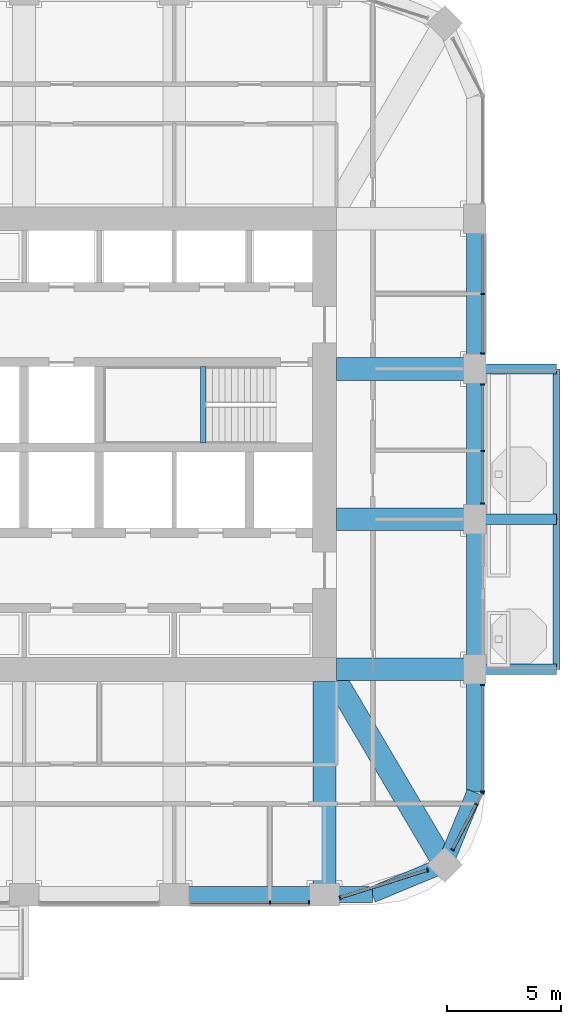
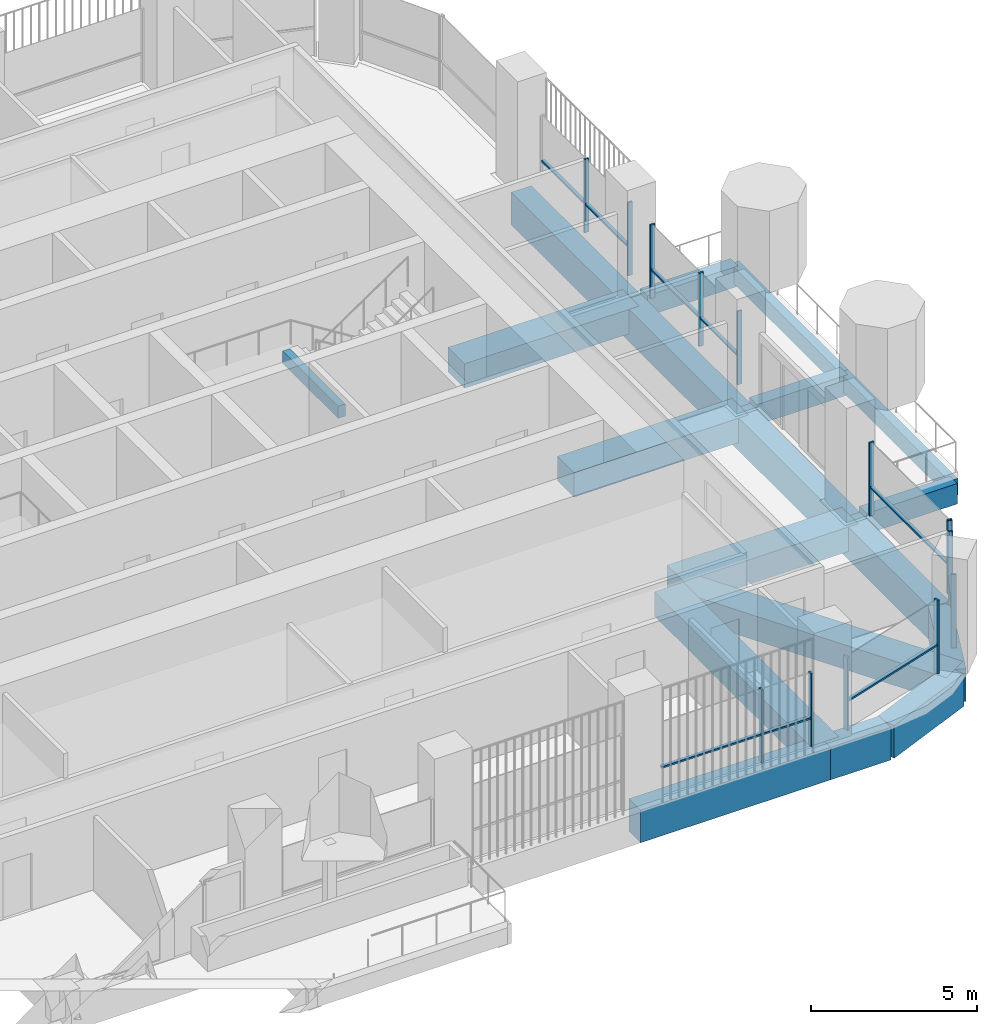
# One storey, part 4 of 19: 23 members, 19 beams, 6 elements without a shape of their own.
"""IFC4 building model written with IfcOpenShell, lengths in metres."""

from ifc_helpers import new_model, si_unit, direction, frame, origin, origin_2d, place, context, subcontext, project, spatial, rectangle, extrude, material, material_profile, profile_set, type_object, element, aggregate, save


model = new_model("IFC4")

# Units and contexts
model_context = context("Model", 3, precision=1e-05, world=origin(), true_north=direction((0.0, 1.0)))
body_context = subcontext(model_context, "Body", "Model", "MODEL_VIEW")
ifc_project = project(units=[si_unit("LENGTHUNIT", "METRE"), si_unit("AREAUNIT", "SQUARE_METRE"), si_unit("VOLUMEUNIT", "CUBIC_METRE"), si_unit("PLANEANGLEUNIT", "RADIAN"), si_unit("MASSUNIT", "GRAM", prefix="KILO")], contexts=[model_context])

# Site, building, storey
site_placement = place(None, origin())
site = spatial("IfcSite", under=ifc_project, at=site_placement, CompositionType="ELEMENT")
building_placement = place(site_placement, origin())
building = spatial("IfcBuilding", under=site, at=building_placement, Name="Cobogo Forest Laboratory Tower", CompositionType="ELEMENT")
storey_placement = place(building_placement, frame((0.0, 0.0, 237.60009765625)))
storey = spatial("IfcBuildingStorey", under=building, at=storey_placement, Name="L54", CompositionType="ELEMENT", Elevation=237.60009765625)

# Beams
ifc_material_1 = material(Name="Concrete HA-40 (C40/50)", Category="concrete")
ifc_material_profile_1 = material_profile(ifc_material_1, rectangle(XDim=0.449951171875, YDim=0.75, at=origin_2d()), Name="RC 450x750")
ifc_profile_set_1 = profile_set([ifc_material_profile_1], Name="Concrete HA-40 (C40/50)")
beam_type_1 = type_object("IfcBeamType", Name="Balcony cantilever beam 450x750", PredefinedType="BEAM", material=ifc_profile_set_1)
for number, where, z_axis, x_axis, name in (
    (1, (46.64990234375, 13.199951171875, -0.625), (1.0, 0.0, 0.0), (0.0, 1.0, 0.0), "CB1 BAL-E1-C1 L54"),
    (2, (46.64990234375, 19.800048828125, -0.625), (1.0, 0.0, 0.0), (0.0, 1.0, 0.0), "CB1 BAL-E1-C2 L54"),
    (3, (46.64990234375, 26.39990234375, -0.625), (1.0, 0.0, 0.0), (0.0, 1.0, 0.0), "CB1 BAL-E1-C3 L54"),
):
    element("IfcBeam", number, at=place(storey_placement, frame(where, z_axis=z_axis, x_axis=x_axis)), inside=storey, type_object=beam_type_1, Name=name, PredefinedType="BEAM", context=body_context, shape_type="SweptSolid", body=[
        extrude(rectangle(XDim=0.449951171875, YDim=0.75, at=origin_2d()), origin(), (0.0, 0.0, 1.0), 3.150146484375),
    ])
ifc_material_profile_2 = material_profile(ifc_material_1, rectangle(XDim=0.300048828125, YDim=0.60009765625, at=origin_2d()), Name="RC 300x600")
ifc_profile_set_2 = profile_set([ifc_material_profile_2], Name="Concrete HA-40 (C40/50)")
beam_type_2 = type_object("IfcBeamType", Name="Balcony edge beam 300x600", PredefinedType="BEAM", material=ifc_profile_set_2)
beam_1_placement = place(storey_placement, frame((49.800048828125, 13.199951171875, -0.550048828125), z_axis=(0.0, 1.0, 0.0), x_axis=(-1.0, 0.0, 0.0)))
element("IfcBeam", 4, at=beam_1_placement, inside=storey, type_object=beam_type_2, Name="BB1 BAL-E1-T1 L54", PredefinedType="BEAM", context=body_context, shape_type="SweptSolid", body=[
    extrude(rectangle(XDim=0.300048828125, YDim=0.60009765625, at=origin_2d()), origin(), (0.0, 0.0, 1.0), 6.60009765625),
])
beam_2_placement = place(storey_placement, frame((49.800048828125, 19.800048828125, -0.550048828125), z_axis=(0.0, 1.0, 0.0), x_axis=(-1.0, 0.0, 0.0)))
element("IfcBeam", 5, at=beam_2_placement, inside=storey, type_object=beam_type_2, Name="BB1 BAL-E1-T2 L54", PredefinedType="BEAM", context=body_context, shape_type="SweptSolid", body=[
    extrude(rectangle(XDim=0.300048828125, YDim=0.60009765625, at=origin_2d()), origin(), (0.0, 0.0, 1.0), 6.599853515625),
])
ifc_material_profile_3 = material_profile(ifc_material_1, rectangle(XDim=0.25, YDim=0.449951171875, at=origin_2d()), Name="RC 250x450")
ifc_profile_set_3 = profile_set([ifc_material_profile_3], Name="Concrete HA-40 (C40/50)")
beam_type_3 = type_object("IfcBeamType", Name="LB1 landing beam 250x450", PredefinedType="BEAM", material=ifc_profile_set_3)
beam_3_placement = place(storey_placement, frame((34.27001953125, 23.14990234375, 1.6748046875), z_axis=(0.0, 1.0, 0.0), x_axis=(-1.0, 0.0, 0.0)))
element("IfcBeam", 6, at=beam_3_placement, inside=storey, type_object=beam_type_3, Name="Landing beam ST2 L54", PredefinedType="BEAM", context=body_context, shape_type="SweptSolid", body=[
    extrude(rectangle(XDim=0.25, YDim=0.449951171875, at=origin_2d()), origin(), (0.0, 0.0, 1.0), 3.35009765625),
])

# Curtain wall, members
ifc_material_2 = material(Name="Aluminium curtain wall", Category="aluminium")
curtain_wall_type = type_object("IfcCurtainWallType", Name="CW-2 unitised curtain wall, solar control glazing, laboratory floors zones C and D", PredefinedType="USERDEFINED", material=ifc_material_2)
curtain_wall_1_placement = place(storey_placement, origin())
curtain_wall_1 = element("IfcCurtainWall", 7, at=curtain_wall_1_placement, inside=storey, type_object=curtain_wall_type, Name="Curtain wall 04 L54", ObjectType="UNITISED CURTAIN WALL", PredefinedType="USERDEFINED")
ifc_material_3 = material(Name="Aluminium mullion", Category="aluminium")
ifc_material_profile_4 = material_profile(ifc_material_3, rectangle(XDim=0.06005859375, YDim=0.159912109375, at=origin_2d()), Name="AL 60x160")
ifc_profile_set_4 = profile_set([ifc_material_profile_4], Name="Aluminium mullion")
member_type_1 = type_object("IfcMemberType", Name="MU-1 aluminium mullion 60x160", PredefinedType="MULLION", material=ifc_profile_set_4)
member_1_placement = place(storey_placement, frame((37.199951171875, 2.949951171875, 0.0), z_axis=(0.0, 0.0, 1.0), x_axis=(1.0, 0.0, 0.0)))
member_1 = element("IfcMember", 8, at=member_1_placement, type_object=member_type_1, Name="CW-2 mullion 2", PredefinedType="MULLION", context=body_context, shape_type="SweptSolid", body=[
    extrude(rectangle(XDim=0.06005859375, YDim=0.159912109375, at=origin_2d()), origin(), (0.0, 0.0, 1.0), 2.699951171875),
])
member_2_placement = place(storey_placement, frame((38.919921875, 2.949951171875, 0.0), z_axis=(0.0, 0.0, 1.0), x_axis=(1.0, 0.0, 0.0)))
member_2 = element("IfcMember", 9, at=member_2_placement, type_object=member_type_1, Name="CW-2 mullion 3", PredefinedType="MULLION", context=body_context, shape_type="SweptSolid", body=[
    extrude(rectangle(XDim=0.06005859375, YDim=0.159912109375, at=origin_2d()), origin(), (0.0, 0.0, 1.0), 2.699951171875),
])

curtain_wall_2_placement = place(storey_placement, origin())
curtain_wall_2 = element("IfcCurtainWall", 10, at=curtain_wall_2_placement, inside=storey, type_object=curtain_wall_type, Name="Curtain wall 05 L54", ObjectType="UNITISED CURTAIN WALL", PredefinedType="USERDEFINED")
member_3_placement = place(storey_placement, frame((40.278564453125, 3.164306640625, 0.0), z_axis=(0.0, 0.0, 1.0), x_axis=(0.953581331491, 0.301135591107, 0.0)))
member_3 = element("IfcMember", 11, at=member_3_placement, type_object=member_type_1, Name="CW-2 mullion 1", PredefinedType="MULLION", context=body_context, shape_type="SweptSolid", body=[
    extrude(rectangle(XDim=0.06005859375, YDim=0.159912109375, at=origin_2d()), origin(), (0.0, 0.0, 1.0), 2.699951171875),
])
member_4_placement = place(storey_placement, frame((44.12255859375, 4.378173828125, 0.0), z_axis=(0.0, 0.0, 1.0), x_axis=(0.953581331491, 0.301135591107, 0.0)))
member_4 = element("IfcMember", 12, at=member_4_placement, type_object=member_type_1, Name="CW-2 mullion 2", PredefinedType="MULLION", context=body_context, shape_type="SweptSolid", body=[
    extrude(rectangle(XDim=0.06005859375, YDim=0.159912109375, at=origin_2d()), origin(), (0.0, 0.0, 1.0), 2.699951171875),
])

curtain_wall_3_placement = place(storey_placement, origin())
curtain_wall_3 = element("IfcCurtainWall", 13, at=curtain_wall_3_placement, inside=storey, type_object=curtain_wall_type, Name="Curtain wall 06 L54", ObjectType="UNITISED CURTAIN WALL", PredefinedType="USERDEFINED")
member_5_placement = place(storey_placement, frame((45.2265625, 5.275634765625, 0.0), z_axis=(0.0, 0.0, 1.0), x_axis=(0.464283804832, 0.885686484356, 0.0)))
member_5 = element("IfcMember", 14, at=member_5_placement, type_object=member_type_1, Name="CW-2 mullion 1", PredefinedType="MULLION", context=body_context, shape_type="SweptSolid", body=[
    extrude(rectangle(XDim=0.06005859375, YDim=0.159912109375, at=origin_2d()), origin(), (0.0, 0.0, 1.0), 2.699951171875),
])
member_6_placement = place(storey_placement, frame((46.268310546875, 7.262939453125, 0.0), z_axis=(0.0, 0.0, 1.0), x_axis=(0.464283804832, 0.885686484356, 0.0)))
member_6 = element("IfcMember", 15, at=member_6_placement, type_object=member_type_1, Name="CW-2 mullion 2", PredefinedType="MULLION", context=body_context, shape_type="SweptSolid", body=[
    extrude(rectangle(XDim=0.06005859375, YDim=0.159912109375, at=origin_2d()), origin(), (0.0, 0.0, 1.0), 2.699951171875),
])
member_7_placement = place(storey_placement, frame((46.5361328125, 7.7734375, 0.0), z_axis=(0.0, 0.0, 1.0), x_axis=(0.464283804832, 0.885686484356, 0.0)))
member_7 = element("IfcMember", 16, at=member_7_placement, type_object=member_type_1, Name="CW-2 mullion 3", PredefinedType="MULLION", context=body_context, shape_type="SweptSolid", body=[
    extrude(rectangle(XDim=0.06005859375, YDim=0.159912109375, at=origin_2d()), origin(), (0.0, 0.0, 1.0), 2.699951171875),
])

curtain_wall_4_placement = place(storey_placement, origin())
curtain_wall_4 = element("IfcCurtainWall", 17, at=curtain_wall_4_placement, inside=storey, type_object=curtain_wall_type, Name="Curtain wall 07 L54", ObjectType="UNITISED CURTAIN WALL", PredefinedType="USERDEFINED")
member_8_placement = place(storey_placement, frame((46.550048828125, 7.830078125, 0.0), z_axis=(0.0, 0.0, 1.0), x_axis=(0.0, 1.0, 0.0)))
member_8 = element("IfcMember", 18, at=member_8_placement, type_object=member_type_1, Name="CW-2 mullion 1", PredefinedType="MULLION", context=body_context, shape_type="SweptSolid", body=[
    extrude(rectangle(XDim=0.06005859375, YDim=0.159912109375, at=origin_2d()), origin(), (0.0, 0.0, 1.0), 2.699951171875),
])
member_9_placement = place(storey_placement, frame((46.550048828125, 12.52001953125, 0.0), z_axis=(0.0, 0.0, 1.0), x_axis=(0.0, 1.0, 0.0)))
member_9 = element("IfcMember", 19, at=member_9_placement, type_object=member_type_1, Name="CW-2 mullion 2", PredefinedType="MULLION", context=body_context, shape_type="SweptSolid", body=[
    extrude(rectangle(XDim=0.06005859375, YDim=0.159912109375, at=origin_2d()), origin(), (0.0, 0.0, 1.0), 2.699951171875),
])

curtain_wall_5_placement = place(storey_placement, origin())
curtain_wall_5 = element("IfcCurtainWall", 20, at=curtain_wall_5_placement, inside=storey, type_object=curtain_wall_type, Name="Curtain wall 09 L54", ObjectType="UNITISED CURTAIN WALL", PredefinedType="USERDEFINED")
member_10_placement = place(storey_placement, frame((46.550048828125, 20.47998046875, 0.0), z_axis=(0.0, 0.0, 1.0), x_axis=(0.0, 1.0, 0.0)))
member_10 = element("IfcMember", 21, at=member_10_placement, type_object=member_type_1, Name="CW-2 mullion 1", PredefinedType="MULLION", context=body_context, shape_type="SweptSolid", body=[
    extrude(rectangle(XDim=0.06005859375, YDim=0.159912109375, at=origin_2d()), origin(), (0.0, 0.0, 1.0), 2.699951171875),
])
member_11_placement = place(storey_placement, frame((46.550048828125, 22.800048828125, 0.0), z_axis=(0.0, 0.0, 1.0), x_axis=(0.0, 1.0, 0.0)))
member_11 = element("IfcMember", 22, at=member_11_placement, type_object=member_type_1, Name="CW-2 mullion 2", PredefinedType="MULLION", context=body_context, shape_type="SweptSolid", body=[
    extrude(rectangle(XDim=0.06005859375, YDim=0.159912109375, at=origin_2d()), origin(), (0.0, 0.0, 1.0), 2.699951171875),
])
member_12_placement = place(storey_placement, frame((46.550048828125, 25.719970703125, 0.0), z_axis=(0.0, 0.0, 1.0), x_axis=(0.0, 1.0, 0.0)))
member_12 = element("IfcMember", 23, at=member_12_placement, type_object=member_type_1, Name="CW-2 mullion 3", PredefinedType="MULLION", context=body_context, shape_type="SweptSolid", body=[
    extrude(rectangle(XDim=0.06005859375, YDim=0.159912109375, at=origin_2d()), origin(), (0.0, 0.0, 1.0), 2.699951171875),
])

curtain_wall_6_placement = place(storey_placement, origin())
curtain_wall_6 = element("IfcCurtainWall", 24, at=curtain_wall_6_placement, inside=storey, type_object=curtain_wall_type, Name="Curtain wall 10 L54", ObjectType="UNITISED CURTAIN WALL", PredefinedType="USERDEFINED")
member_13_placement = place(storey_placement, frame((46.550048828125, 27.080078125, 0.0), z_axis=(0.0, 0.0, 1.0), x_axis=(0.0, 1.0, 0.0)))
member_13 = element("IfcMember", 25, at=member_13_placement, type_object=member_type_1, Name="CW-2 mullion 1", PredefinedType="MULLION", context=body_context, shape_type="SweptSolid", body=[
    extrude(rectangle(XDim=0.06005859375, YDim=0.159912109375, at=origin_2d()), origin(), (0.0, 0.0, 1.0), 2.699951171875),
])
member_14_placement = place(storey_placement, frame((46.550048828125, 29.699951171875, 0.0), z_axis=(0.0, 0.0, 1.0), x_axis=(0.0, 1.0, 0.0)))
member_14 = element("IfcMember", 26, at=member_14_placement, type_object=member_type_1, Name="CW-2 mullion 2", PredefinedType="MULLION", context=body_context, shape_type="SweptSolid", body=[
    extrude(rectangle(XDim=0.06005859375, YDim=0.159912109375, at=origin_2d()), origin(), (0.0, 0.0, 1.0), 2.699951171875),
])

# Beams
ifc_material_profile_5 = material_profile(ifc_material_1, rectangle(XDim=1.0, YDim=0.89990234375, at=origin_2d()), Name="RC 1000x900")
ifc_profile_set_5 = profile_set([ifc_material_profile_5], Name="Concrete HA-40 (C40/50)")
beam_type_4 = type_object("IfcBeamType", Name="Office floor wide beam 1000x900", PredefinedType="BEAM", material=ifc_profile_set_5)
beam_4_placement = place(storey_placement, frame((39.60009765625, 12.675048828125, -0.75), z_axis=(0.0, -1.0, 0.0), x_axis=(1.0, 0.0, 0.0)))
element("IfcBeam", 27, at=beam_4_placement, inside=storey, type_object=beam_type_4, Name="RB2 R-7-S L54", PredefinedType="BEAM", context=body_context, shape_type="SweptSolid", body=[
    extrude(rectangle(XDim=1.0, YDim=0.89990234375, at=origin_2d()), origin(), (0.0, 0.0, 1.0), 9.375),
])
for number, where, z_axis, x_axis, name in (
    (28, (40.125, 13.199951171875, -0.75), (1.0, 0.0, 0.0), (0.0, 1.0, 0.0), "RB2 R-C-E L54"),
    (29, (40.125, 19.800048828125, -0.75), (1.0, 0.0, 0.0), (0.0, 1.0, 0.0), "RB2 R-D-E L54"),
    (30, (40.125, 26.39990234375, -0.75), (1.0, 0.0, 0.0), (0.0, 1.0, 0.0), "RB2 R-E-E L54"),
):
    element("IfcBeam", number, at=place(storey_placement, frame(where, z_axis=z_axis, x_axis=x_axis)), inside=storey, type_object=beam_type_4, Name=name, PredefinedType="BEAM", context=body_context, shape_type="SweptSolid", body=[
        extrude(rectangle(XDim=1.0, YDim=0.89990234375, at=origin_2d()), origin(), (0.0, 0.0, 1.0), 6.074951171875),
    ])
beam_5_placement = place(storey_placement, frame((44.882080078125, 4.617919921875, -0.75), z_axis=(-0.508416325908, 0.861111397875, 0.0), x_axis=(-0.861111397875, -0.508416325908, 0.0)))
element("IfcBeam", 31, at=beam_5_placement, inside=storey, type_object=beam_type_4, Name="RB2 G-SE-D1 L54", PredefinedType="BEAM", context=body_context, shape_type="SweptSolid", body=[
    extrude(rectangle(XDim=1.0, YDim=0.89990234375, at=origin_2d()), origin(), (0.0, 0.0, 1.0), 9.356689453125),
])
ifc_material_profile_6 = material_profile(ifc_material_1, rectangle(XDim=0.699951171875, YDim=1.199951171875, at=origin_2d()), Name="RC 700x1200")
ifc_profile_set_6 = profile_set([ifc_material_profile_6], Name="Concrete HA-40 (C40/50)")
beam_type_5 = type_object("IfcBeamType", Name="Perimeter edge beam 700x1200", PredefinedType="BEAM", material=ifc_profile_set_6)
for number, where, z_axis, x_axis, name in (
    (32, (33.0, 3.300048828125, -0.900146484375), (1.0, 0.0, 0.0), (0.0, 1.0, 0.0), "EB1 E-S4 L54"),
    (33, (46.199951171875, 13.199951171875, -0.900146484375), (0.0, 1.0, 0.0), (-1.0, 0.0, 0.0), "EB1 E-E1 L54"),
):
    element("IfcBeam", number, at=place(storey_placement, frame(where, z_axis=z_axis, x_axis=x_axis)), inside=storey, type_object=beam_type_5, Name=name, PredefinedType="BEAM", context=body_context, shape_type="SweptSolid", body=[
        extrude(rectangle(XDim=0.699951171875, YDim=1.199951171875, at=origin_2d()), origin(), (0.0, 0.0, 1.0), 6.60009765625),
    ])
beam_6_placement = place(storey_placement, frame((46.199951171875, 19.800048828125, -0.900146484375), z_axis=(0.0, 1.0, 0.0), x_axis=(-1.0, 0.0, 0.0)))
element("IfcBeam", 34, at=beam_6_placement, inside=storey, type_object=beam_type_5, Name="EB1 E-E2 L54", PredefinedType="BEAM", context=body_context, shape_type="SweptSolid", body=[
    extrude(rectangle(XDim=0.699951171875, YDim=1.199951171875, at=origin_2d()), origin(), (0.0, 0.0, 1.0), 6.599853515625),
])
beam_7_placement = place(storey_placement, frame((46.199951171875, 26.39990234375, -0.900146484375), z_axis=(0.0, 1.0, 0.0), x_axis=(-1.0, 0.0, 0.0)))
element("IfcBeam", 35, at=beam_7_placement, inside=storey, type_object=beam_type_5, Name="EB1 E-E3 L54", PredefinedType="BEAM", context=body_context, shape_type="SweptSolid", body=[
    extrude(rectangle(XDim=0.699951171875, YDim=1.199951171875, at=origin_2d()), origin(), (0.0, 0.0, 1.0), 6.60009765625),
])
beam_8_placement = place(storey_placement, frame((39.60009765625, 3.300048828125, -0.900146484375), z_axis=(1.0, 0.0, 0.0), x_axis=(0.0, 1.0, 0.0)))
element("IfcBeam", 36, at=beam_8_placement, inside=storey, type_object=beam_type_5, Name="EB1 E-SES1 L54", PredefinedType="BEAM", context=body_context, shape_type="SweptSolid", body=[
    extrude(rectangle(XDim=0.699951171875, YDim=1.199951171875, at=origin_2d()), origin(), (0.0, 0.0, 1.0), 2.099853515625),
])
beam_9_placement = place(storey_placement, frame((41.699951171875, 3.300048828125, -0.900146484375), z_axis=(0.923901072997, 0.382631424892, 0.0), x_axis=(-0.382631424892, 0.923901072997, 0.0)))
element("IfcBeam", 37, at=beam_9_placement, inside=storey, type_object=beam_type_5, Name="EB1 E-SES2 L54", PredefinedType="BEAM", context=body_context, shape_type="SweptSolid", body=[
    extrude(rectangle(XDim=0.699951171875, YDim=1.199951171875, at=origin_2d()), origin(), (0.0, 0.0, 1.0), 3.4443359375),
])
beam_10_placement = place(storey_placement, frame((46.199951171875, 13.199951171875, -0.900146484375), z_axis=(0.0, -1.0, 0.0), x_axis=(1.0, 0.0, 0.0)))
element("IfcBeam", 38, at=beam_10_placement, inside=storey, type_object=beam_type_5, Name="EB1 E-SEE1 L54", PredefinedType="BEAM", context=body_context, shape_type="SweptSolid", body=[
    extrude(rectangle(XDim=0.699951171875, YDim=1.199951171875, at=origin_2d()), origin(), (0.0, 0.0, 1.0), 5.39990234375),
])
beam_11_placement = place(storey_placement, frame((46.199951171875, 7.800048828125, -0.900146484375), z_axis=(-0.382631424892, -0.923901072997, 0.0), x_axis=(0.923901072997, -0.382631424892, 0.0)))
element("IfcBeam", 39, at=beam_11_placement, inside=storey, type_object=beam_type_5, Name="EB1 E-SEE2 L54", PredefinedType="BEAM", context=body_context, shape_type="SweptSolid", body=[
    extrude(rectangle(XDim=0.699951171875, YDim=1.199951171875, at=origin_2d()), origin(), (0.0, 0.0, 1.0), 3.4443359375),
])

# Member
ifc_material_4 = material(Name="Aluminium transom", Category="aluminium")
ifc_material_profile_7 = material_profile(ifc_material_4, rectangle(XDim=0.1201171875, YDim=0.06005859375, at=origin_2d()), Name="AL 60x120")
ifc_profile_set_7 = profile_set([ifc_material_profile_7], Name="Aluminium transom")
member_type_2 = type_object("IfcMemberType", Name="TR-1 aluminium transom 60x120", PredefinedType="USERDEFINED", material=ifc_profile_set_7)
member_15_placement = place(storey_placement, frame((33.7099609375, 2.949951171875, 1.0498046875), z_axis=(1.0, 0.0, 0.0), x_axis=(0.0, 1.0, 0.0)))
member_15 = element("IfcMember", 40, at=member_15_placement, type_object=member_type_2, Name="CW-2 transom 1.1", ObjectType="TRANSOM", PredefinedType="USERDEFINED", context=body_context, shape_type="SweptSolid", body=[
    extrude(rectangle(XDim=0.1201171875, YDim=0.06005859375, at=origin_2d()), origin(), (0.0, 0.0, 1.0), 3.4599609375),
])

member_16_placement = place(storey_placement, frame((37.22998046875, 2.949951171875, 1.0498046875), z_axis=(1.0, 0.0, 0.0), x_axis=(0.0, 1.0, 0.0)))
member_16 = element("IfcMember", 41, at=member_16_placement, type_object=member_type_2, Name="CW-2 transom 2.1", ObjectType="TRANSOM", PredefinedType="USERDEFINED", context=body_context, shape_type="SweptSolid", body=[
    extrude(rectangle(XDim=0.1201171875, YDim=0.06005859375, at=origin_2d()), origin(), (0.0, 0.0, 1.0), 1.659912109375),
])

aggregate(curtain_wall_1, [member_1, member_2, member_15, member_16])

member_17_placement = place(storey_placement, frame((40.30712890625, 3.17333984375, 1.0498046875), z_axis=(0.95358638162, 0.301119598812, 0.0), x_axis=(-0.301119598812, 0.95358638162, 0.0)))
member_17 = element("IfcMember", 42, at=member_17_placement, type_object=member_type_2, Name="CW-2 transom 1.1", ObjectType="TRANSOM", PredefinedType="USERDEFINED", context=body_context, shape_type="SweptSolid", body=[
    extrude(rectangle(XDim=0.1201171875, YDim=0.06005859375, at=origin_2d()), origin(), (0.0, 0.0, 1.0), 3.97119140625),
])

aggregate(curtain_wall_2, [member_3, member_4, member_17])

member_18_placement = place(storey_placement, frame((45.240478515625, 5.302001953125, 1.0498046875), z_axis=(0.464257605101, 0.885700217967, 0.0), x_axis=(-0.885700217967, 0.464257605101, 0.0)))
member_18 = element("IfcMember", 43, at=member_18_placement, type_object=member_type_2, Name="CW-2 transom 1.1", ObjectType="TRANSOM", PredefinedType="USERDEFINED", context=body_context, shape_type="SweptSolid", body=[
    extrude(rectangle(XDim=0.1201171875, YDim=0.06005859375, at=origin_2d()), origin(), (0.0, 0.0, 1.0), 2.183837890625),
])

aggregate(curtain_wall_3, [member_5, member_6, member_7, member_18])

member_19_placement = place(storey_placement, frame((46.550048828125, 7.860107421875, 1.0498046875), z_axis=(0.0, 1.0, 0.0), x_axis=(-1.0, 0.0, 0.0)))
member_19 = element("IfcMember", 44, at=member_19_placement, type_object=member_type_2, Name="CW-2 transom 1.1", ObjectType="TRANSOM", PredefinedType="USERDEFINED", context=body_context, shape_type="SweptSolid", body=[
    extrude(rectangle(XDim=0.1201171875, YDim=0.06005859375, at=origin_2d()), origin(), (0.0, 0.0, 1.0), 4.6298828125),
])

aggregate(curtain_wall_4, [member_8, member_9, member_19])

member_20_placement = place(storey_placement, frame((46.550048828125, 20.510009765625, 1.0498046875), z_axis=(0.0, 1.0, 0.0), x_axis=(-1.0, 0.0, 0.0)))
member_20 = element("IfcMember", 45, at=member_20_placement, type_object=member_type_2, Name="CW-2 transom 1.1", ObjectType="TRANSOM", PredefinedType="USERDEFINED", context=body_context, shape_type="SweptSolid", body=[
    extrude(rectangle(XDim=0.1201171875, YDim=0.06005859375, at=origin_2d()), origin(), (0.0, 0.0, 1.0), 2.260009765625),
])

member_21_placement = place(storey_placement, frame((46.550048828125, 22.830078125, 1.0498046875), z_axis=(0.0, 1.0, 0.0), x_axis=(-1.0, 0.0, 0.0)))
member_21 = element("IfcMember", 46, at=member_21_placement, type_object=member_type_2, Name="CW-2 transom 2.1", ObjectType="TRANSOM", PredefinedType="USERDEFINED", context=body_context, shape_type="SweptSolid", body=[
    extrude(rectangle(XDim=0.1201171875, YDim=0.06005859375, at=origin_2d()), origin(), (0.0, 0.0, 1.0), 2.85986328125),
])

aggregate(curtain_wall_5, [member_10, member_11, member_12, member_20, member_21])

member_22_placement = place(storey_placement, frame((46.550048828125, 27.110107421875, 1.0498046875), z_axis=(0.0, 1.0, 0.0), x_axis=(-1.0, 0.0, 0.0)))
member_22 = element("IfcMember", 47, at=member_22_placement, type_object=member_type_2, Name="CW-2 transom 1.1", ObjectType="TRANSOM", PredefinedType="USERDEFINED", context=body_context, shape_type="SweptSolid", body=[
    extrude(rectangle(XDim=0.1201171875, YDim=0.06005859375, at=origin_2d()), origin(), (0.0, 0.0, 1.0), 2.559814453125),
])

member_23_placement = place(storey_placement, frame((46.550048828125, 29.72998046875, 1.0498046875), z_axis=(0.0, 1.0, 0.0), x_axis=(-1.0, 0.0, 0.0)))
member_23 = element("IfcMember", 48, at=member_23_placement, type_object=member_type_2, Name="CW-2 transom 2.1", ObjectType="TRANSOM", PredefinedType="USERDEFINED", context=body_context, shape_type="SweptSolid", body=[
    extrude(rectangle(XDim=0.1201171875, YDim=0.06005859375, at=origin_2d()), origin(), (0.0, 0.0, 1.0), 2.56005859375),
])

aggregate(curtain_wall_6, [member_13, member_14, member_22, member_23])

save(model, "model.ifc")
